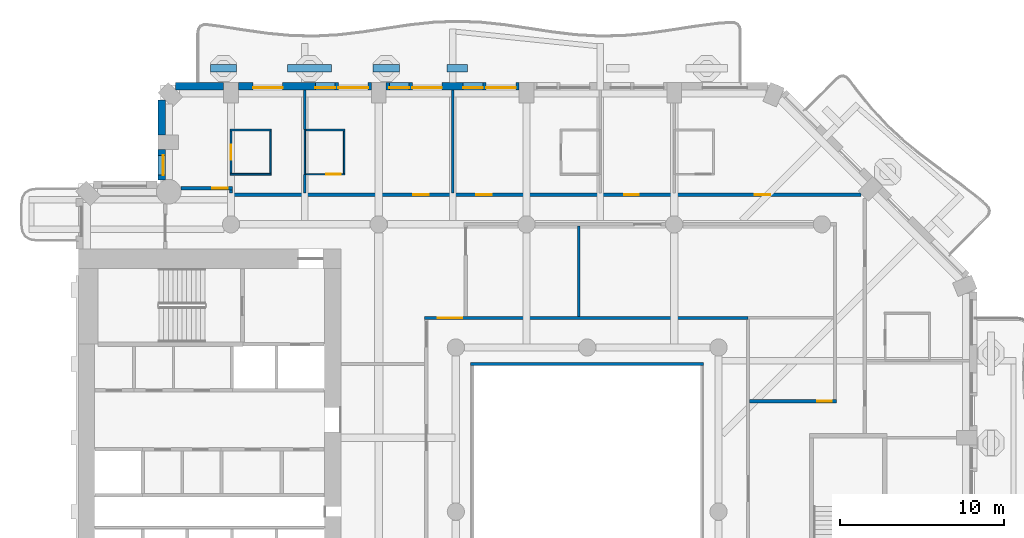
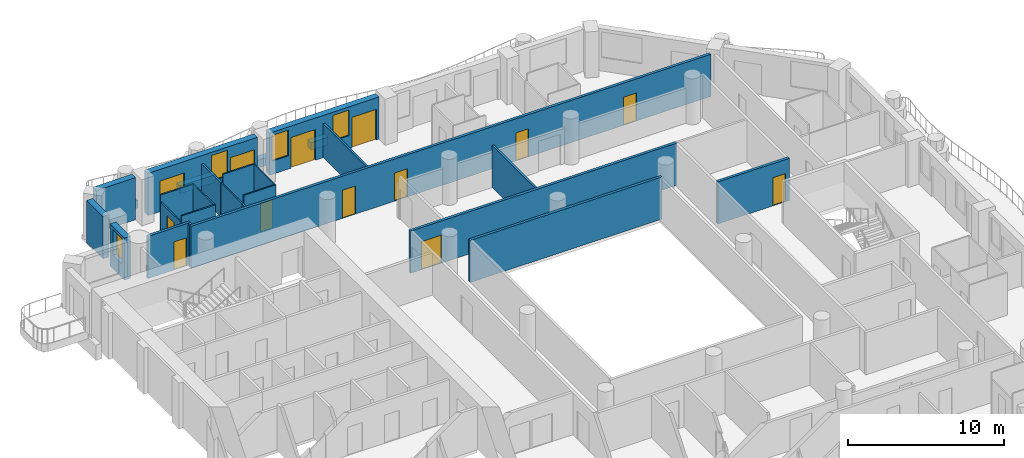
# One storey, part 8 of 20: 27 walls, 13 doors, 4 windows, 17 openings.
"""IFC4 building model written with IfcOpenShell, lengths in metres."""

from ifc_helpers import new_model, si_unit, direction, frame, frame_2d, origin, place, context, subcontext, project, spatial, rectangle, extrude, material, layer, layer_set, type_object, element, fill, save


model = new_model("IFC4")

# Units and contexts
model_context = context("Model", 3, precision=1e-05, world=origin(), true_north=direction((0.0, 1.0)))
body_context = subcontext(model_context, "Body", "Model", "MODEL_VIEW")
ifc_project = project(units=[si_unit("LENGTHUNIT", "METRE"), si_unit("AREAUNIT", "SQUARE_METRE"), si_unit("VOLUMEUNIT", "CUBIC_METRE"), si_unit("PLANEANGLEUNIT", "RADIAN"), si_unit("MASSUNIT", "GRAM", prefix="KILO")], contexts=[model_context])

# Site, building, storey
site_placement = place(None, origin())
site = spatial("IfcSite", under=ifc_project, at=site_placement, CompositionType="ELEMENT")
building_placement = place(site_placement, origin())
building = spatial("IfcBuilding", under=site, at=building_placement, Name="Cypress Arch Tower", CompositionType="ELEMENT")
storey_placement = place(building_placement, frame((0.0, 0.0, 120.300048828125)))
storey = spatial("IfcBuildingStorey", under=building, at=storey_placement, Name="L25", CompositionType="ELEMENT", Elevation=120.300048828125)

# Walls
ifc_material_1 = material(Name="Concrete C40/50, waterproofed", Category="concrete")
ifc_layer_1 = layer(ifc_material_1, 0.449951171875)
ifc_layer_set_1 = layer_set([ifc_layer_1], Name="Balcony planter wall PW450")
wall_type_1 = type_object("IfcWallType", Name="Balcony planter wall PW450", PredefinedType="SOLIDWALL", material=ifc_layer_set_1)
wall_1_placement = place(storey_placement, frame((-6.300048828125, 27.0, 0.0), z_axis=(0.0, 0.0, 1.0), x_axis=(-1.0, 0.0, 0.0)))
element("IfcWall", 1, at=wall_1_placement, inside=storey, type_object=wall_type_1, Name="Balcony planter wall L25-A08.3", PredefinedType="SOLIDWALL", context=body_context, shape_type="SweptSolid", body=[
    extrude(rectangle(XDim=1.25, YDim=0.449951171875, at=frame_2d((0.625, 0.0))), origin(), (0.0, 0.0, 1.0), 0.599853515625),
])
wall_2_placement = place(storey_placement, frame((-10.4375, 27.0, 0.0), z_axis=(0.0, 0.0, 1.0), x_axis=(-1.0, 0.0, 0.0)))
element("IfcWall", 2, at=wall_2_placement, inside=storey, type_object=wall_type_1, Name="Balcony planter wall L25-A08.4", PredefinedType="SOLIDWALL", context=body_context, shape_type="SweptSolid", body=[
    extrude(rectangle(XDim=1.612548828125, YDim=0.449951171875, at=frame_2d((0.80615234375, 0.0))), origin(), (0.0, 0.0, 1.0), 0.599853515625),
])
wall_3_placement = place(storey_placement, frame((-14.574951171875, 27.0, 0.0), z_axis=(0.0, 0.0, 1.0), x_axis=(-1.0, 0.0, 0.0)))
element("IfcWall", 3, at=wall_3_placement, inside=storey, type_object=wall_type_1, Name="Balcony planter wall L25-A08.5", PredefinedType="SOLIDWALL", context=body_context, shape_type="SweptSolid", body=[
    extrude(rectangle(XDim=2.675048828125, YDim=0.449951171875, at=frame_2d((1.33740234375, 0.0))), origin(), (0.0, 0.0, 1.0), 0.599853515625),
])
wall_4_placement = place(storey_placement, frame((-20.35009765625, 27.0, 0.0), z_axis=(0.0, 0.0, 1.0), x_axis=(-1.0, 0.0, 0.0)))
element("IfcWall", 4, at=wall_4_placement, inside=storey, type_object=wall_type_1, Name="Balcony planter wall L25-A08.6", PredefinedType="SOLIDWALL", context=body_context, shape_type="SweptSolid", body=[
    extrude(rectangle(XDim=1.599853515625, YDim=0.449951171875, at=frame_2d((0.7998046875, 0.0))), origin(), (0.0, 0.0, 1.0), 0.599853515625),
])

# Wall, openings, doors, windows
ifc_material_2 = material(Name="Brick (red buff blend)", Category="masonry")
ifc_layer_2 = layer(ifc_material_2, 0.449951171875)
ifc_layer_set_2 = layer_set([ifc_layer_2], Name="Brick pier and spandrel wall BW450")
wall_type_2 = type_object("IfcWallType", Name="Brick pier and spandrel wall BW450", PredefinedType="SOLIDWALL", material=ifc_layer_set_2)
wall_5_placement = place(storey_placement, frame((-3.14990234375, 25.925048828125, 0.0), z_axis=(0.0, 0.0, 1.0), x_axis=(-1.0, 0.0, 0.0)))
wall_5 = element("IfcWall", 5, at=wall_5_placement, inside=storey, type_object=wall_type_2, Name="Brick wall L25 A08.2", PredefinedType="SOLIDWALL", context=body_context, shape_type="SweptSolid", body=[
    extrude(rectangle(XDim=8.10009765625, YDim=0.449951171875, at=frame_2d((4.050048828125, 0.0))), origin(), (0.0, 0.0, 1.0), 3.300048828125),
])
opening_1_placement = place(wall_5_placement, frame((0.199951171875, 0.0, 0.0)))
opening_1 = element("IfcOpeningElement", 6, at=opening_1_placement, cuts=wall_5, Name="Opening D-L25-A08.2.1", PredefinedType="OPENING", context=body_context, shape_type="SweptSolid", body=[
    extrude(rectangle(XDim=1.800048828125, YDim=2.39990234375, at=frame_2d((0.89990234375, 1.199951171875))), frame((0.0, 0.23486328125, 0.0), z_axis=(0.0, -1.0, 0.0), x_axis=(1.0, 0.0, 0.0)), (0.0, 0.0, 1.0), 0.469970703125),
])
opening_2_placement = place(wall_5_placement, frame((2.199951171875, 0.0, 1.050048828125)))
opening_2 = element("IfcOpeningElement", 7, at=opening_2_placement, cuts=wall_5, Name="Opening W120HD", PredefinedType="OPENING", context=body_context, shape_type="SweptSolid", body=[
    extrude(rectangle(XDim=1.199951171875, YDim=2.0, at=frame_2d((0.60009765625, 1.0))), frame((0.0, 0.23486328125, 0.0), z_axis=(0.0, -1.0, 0.0), x_axis=(1.0, 0.0, 0.0)), (0.0, 0.0, 1.0), 0.469970703125),
])
opening_3_placement = place(wall_5_placement, frame((4.699951171875, 0.0, 0.0)))
opening_3 = element("IfcOpeningElement", 8, at=opening_3_placement, cuts=wall_5, Name="Opening D-L25-A08.2.2", PredefinedType="OPENING", context=body_context, shape_type="SweptSolid", body=[
    extrude(rectangle(XDim=1.800048828125, YDim=2.39990234375, at=frame_2d((0.89990234375, 1.199951171875))), frame((0.0, 0.23486328125, 0.0), z_axis=(0.0, -1.0, 0.0), x_axis=(1.0, 0.0, 0.0)), (0.0, 0.0, 1.0), 0.469970703125),
])
opening_4_placement = place(wall_5_placement, frame((6.699951171875, 0.0, 1.050048828125)))
opening_4 = element("IfcOpeningElement", 9, at=opening_4_placement, cuts=wall_5, Name="Opening W120HD", PredefinedType="OPENING", context=body_context, shape_type="SweptSolid", body=[
    extrude(rectangle(XDim=1.199951171875, YDim=2.0, at=frame_2d((0.60009765625, 1.0))), frame((0.0, 0.23486328125, 0.0), z_axis=(0.0, -1.0, 0.0), x_axis=(1.0, 0.0, 0.0)), (0.0, 0.0, 1.0), 0.469970703125),
])
ifc_material_3 = material(Name="Anodised aluminium, bronze finish, laminated low-emissivity double glazing, large-missile impact rated", Category="aluminium")
door_type_1 = type_object("IfcDoorType", Name="Balcony sliding door 1800x2400", OperationType="SLIDING_TO_LEFT", PredefinedType="DOOR", material=ifc_material_3)
door_1_placement = place(opening_1_placement, origin())
door_1 = element("IfcDoor", 10, at=door_1_placement, inside=storey, type_object=door_type_1, Name="Balcony door L25 A08.2.1", OperationType="SLIDING_TO_LEFT", OverallHeight=2.39990234375, OverallWidth=1.800048828125, PredefinedType="DOOR", context=body_context, shape_type="SweptSolid", body=[
    extrude(rectangle(XDim=1.800048828125, YDim=2.39990234375, at=frame_2d((0.89990234375, 1.199951171875))), frame((0.0, 0.1298828125, 0.0), z_axis=(0.0, -1.0, 0.0), x_axis=(1.0, 0.0, 0.0)), (0.0, 0.0, 1.0), 0.050048828125),
])
fill(opening_1, door_1)
door_2_placement = place(opening_3_placement, origin())
door_2 = element("IfcDoor", 11, at=door_2_placement, inside=storey, type_object=door_type_1, Name="Balcony door L25 A08.2.2", OperationType="SLIDING_TO_LEFT", OverallHeight=2.39990234375, OverallWidth=1.800048828125, PredefinedType="DOOR", context=body_context, shape_type="SweptSolid", body=[
    extrude(rectangle(XDim=1.800048828125, YDim=2.39990234375, at=frame_2d((0.89990234375, 1.199951171875))), frame((0.0, 0.1298828125, 0.0), z_axis=(0.0, -1.0, 0.0), x_axis=(1.0, 0.0, 0.0)), (0.0, 0.0, 1.0), 0.050048828125),
])
fill(opening_3, door_2)
ifc_material_4 = material(Name="Anodised aluminium, bronze finish, laminated low-emissivity double glazing, large-missile impact rated", Category="aluminium")
window_type_1 = type_object("IfcWindowType", Name="Window Hotel 1200x2000 debris-rated", PartitioningType="SINGLE_PANEL", PredefinedType="WINDOW", material=ifc_material_4)
window_1_placement = place(opening_2_placement, origin())
window_1 = element("IfcWindow", 12, at=window_1_placement, inside=storey, type_object=window_type_1, Name="Window L25 A08.2.1", OverallHeight=2.0, OverallWidth=1.199951171875, PartitioningType="SINGLE_PANEL", PredefinedType="WINDOW", context=body_context, shape_type="SweptSolid", body=[
    extrude(rectangle(XDim=1.199951171875, YDim=2.0, at=frame_2d((0.60009765625, 1.0))), frame((0.0, 0.135009765625, 0.0), z_axis=(0.0, -1.0, 0.0), x_axis=(1.0, 0.0, 0.0)), (0.0, 0.0, 1.0), 0.06005859375),
])
fill(opening_2, window_1)
window_2_placement = place(opening_4_placement, origin())
window_2 = element("IfcWindow", 13, at=window_2_placement, inside=storey, type_object=window_type_1, Name="Window L25 A08.2.2", OverallHeight=2.0, OverallWidth=1.199951171875, PartitioningType="SINGLE_PANEL", PredefinedType="WINDOW", context=body_context, shape_type="SweptSolid", body=[
    extrude(rectangle(XDim=1.199951171875, YDim=2.0, at=frame_2d((0.60009765625, 1.0))), frame((0.0, 0.135009765625, 0.0), z_axis=(0.0, -1.0, 0.0), x_axis=(1.0, 0.0, 0.0)), (0.0, 0.0, 1.0), 0.06005859375),
])
fill(opening_4, window_2)

# Wall, openings, doors, window
wall_6_placement = place(storey_placement, frame((-12.14990234375, 25.925048828125, 0.0), z_axis=(0.0, 0.0, 1.0), x_axis=(-1.0, 0.0, 0.0)))
wall_6 = element("IfcWall", 14, at=wall_6_placement, inside=storey, type_object=wall_type_2, Name="Brick wall L25 A08.3", PredefinedType="SOLIDWALL", context=body_context, shape_type="SweptSolid", body=[
    extrude(rectangle(XDim=8.10009765625, YDim=0.449951171875, at=frame_2d((4.050048828125, 0.0))), origin(), (0.0, 0.0, 1.0), 3.300048828125),
])
opening_5_placement = place(wall_6_placement, frame((0.199951171875, 0.0, 0.0)))
opening_5 = element("IfcOpeningElement", 15, at=opening_5_placement, cuts=wall_6, Name="Opening D-L25-A08.3.1", PredefinedType="OPENING", context=body_context, shape_type="SweptSolid", body=[
    extrude(rectangle(XDim=1.800048828125, YDim=2.39990234375, at=frame_2d((0.89990234375, 1.199951171875))), frame((0.0, 0.23486328125, 0.0), z_axis=(0.0, -1.0, 0.0), x_axis=(1.0, 0.0, 0.0)), (0.0, 0.0, 1.0), 0.469970703125),
])
opening_6_placement = place(wall_6_placement, frame((2.199951171875, 0.0, 1.050048828125)))
opening_6 = element("IfcOpeningElement", 16, at=opening_6_placement, cuts=wall_6, Name="Opening W120HD", PredefinedType="OPENING", context=body_context, shape_type="SweptSolid", body=[
    extrude(rectangle(XDim=1.199951171875, YDim=2.0, at=frame_2d((0.60009765625, 1.0))), frame((0.0, 0.23486328125, 0.0), z_axis=(0.0, -1.0, 0.0), x_axis=(1.0, 0.0, 0.0)), (0.0, 0.0, 1.0), 0.469970703125),
])
opening_7_placement = place(wall_6_placement, frame((5.39990234375, 0.0, 0.0)))
opening_7 = element("IfcOpeningElement", 17, at=opening_7_placement, cuts=wall_6, Name="Opening D-L25-A08.3.2", PredefinedType="OPENING", context=body_context, shape_type="SweptSolid", body=[
    extrude(rectangle(XDim=1.800048828125, YDim=2.39990234375, at=frame_2d((0.89990234375, 1.199951171875))), frame((0.0, 0.23486328125, 0.0), z_axis=(0.0, -1.0, 0.0), x_axis=(1.0, 0.0, 0.0)), (0.0, 0.0, 1.0), 0.469970703125),
])
door_3_placement = place(opening_5_placement, origin())
door_3 = element("IfcDoor", 18, at=door_3_placement, inside=storey, type_object=door_type_1, Name="Balcony door L25 A08.3.1", OperationType="SLIDING_TO_LEFT", OverallHeight=2.39990234375, OverallWidth=1.800048828125, PredefinedType="DOOR", context=body_context, shape_type="SweptSolid", body=[
    extrude(rectangle(XDim=1.800048828125, YDim=2.39990234375, at=frame_2d((0.89990234375, 1.199951171875))), frame((0.0, 0.1298828125, 0.0), z_axis=(0.0, -1.0, 0.0), x_axis=(1.0, 0.0, 0.0)), (0.0, 0.0, 1.0), 0.050048828125),
])
fill(opening_5, door_3)
door_4_placement = place(opening_7_placement, origin())
door_4 = element("IfcDoor", 19, at=door_4_placement, inside=storey, type_object=door_type_1, Name="Balcony door L25 A08.3.2", OperationType="SLIDING_TO_LEFT", OverallHeight=2.39990234375, OverallWidth=1.800048828125, PredefinedType="DOOR", context=body_context, shape_type="SweptSolid", body=[
    extrude(rectangle(XDim=1.800048828125, YDim=2.39990234375, at=frame_2d((0.89990234375, 1.199951171875))), frame((0.0, 0.1298828125, 0.0), z_axis=(0.0, -1.0, 0.0), x_axis=(1.0, 0.0, 0.0)), (0.0, 0.0, 1.0), 0.050048828125),
])
fill(opening_7, door_4)
window_3_placement = place(opening_6_placement, origin())
window_3 = element("IfcWindow", 20, at=window_3_placement, inside=storey, type_object=window_type_1, Name="Window L25 A08.3.1", OverallHeight=2.0, OverallWidth=1.199951171875, PartitioningType="SINGLE_PANEL", PredefinedType="WINDOW", context=body_context, shape_type="SweptSolid", body=[
    extrude(rectangle(XDim=1.199951171875, YDim=2.0, at=frame_2d((0.60009765625, 1.0))), frame((0.0, 0.135009765625, 0.0), z_axis=(0.0, -1.0, 0.0), x_axis=(1.0, 0.0, 0.0)), (0.0, 0.0, 1.0), 0.06005859375),
])
fill(opening_6, window_3)

# Walls
wall_7_placement = place(storey_placement, frame((-21.14990234375, 25.925048828125, 0.0), z_axis=(0.0, 0.0, 1.0), x_axis=(-1.0, 0.0, 0.0)))
element("IfcWall", 21, at=wall_7_placement, inside=storey, type_object=wall_type_2, Name="Brick wall L25 A08.4", PredefinedType="SOLIDWALL", context=body_context, shape_type="SweptSolid", body=[
    extrude(rectangle(XDim=2.913818359375, YDim=0.449951171875, at=frame_2d((1.45703125, 0.0))), origin(), (0.0, 0.0, 1.0), 3.300048828125),
])
wall_8_placement = place(storey_placement, frame((-24.925048828125, 25.063720703125, 0.0), z_axis=(0.0, 0.0, 1.0), x_axis=(0.0, -1.0, 0.0)))
element("IfcWall", 22, at=wall_8_placement, inside=storey, type_object=wall_type_2, Name="Brick wall L25 A09.0", PredefinedType="SOLIDWALL", context=body_context, shape_type="SweptSolid", body=[
    extrude(rectangle(XDim=2.11376953125, YDim=0.449951171875, at=frame_2d((1.056884765625, 0.0))), origin(), (0.0, 0.0, 1.0), 3.300048828125),
])

# Wall, opening, window
wall_9_placement = place(storey_placement, frame((-24.925048828125, 22.050048828125, 0.0), z_axis=(0.0, 0.0, 1.0), x_axis=(0.0, -1.0, 0.0)))
wall_9 = element("IfcWall", 23, at=wall_9_placement, inside=storey, type_object=wall_type_2, Name="Brick wall L25 A09.1", PredefinedType="SOLIDWALL", context=body_context, shape_type="SweptSolid", body=[
    extrude(rectangle(XDim=1.843017578125, YDim=0.449951171875, at=frame_2d((0.92138671875, 0.0))), origin(), (0.0, 0.0, 1.0), 3.300048828125),
])
opening_8_placement = place(wall_9_placement, frame((0.35009765625, 0.0, 1.050048828125)))
opening_8 = element("IfcOpeningElement", 24, at=opening_8_placement, cuts=wall_9, Name="Opening W120H", PredefinedType="OPENING", context=body_context, shape_type="SweptSolid", body=[
    extrude(rectangle(XDim=1.199951171875, YDim=2.0, at=frame_2d((0.60009765625, 1.0))), frame((0.0, 0.23486328125, 0.0), z_axis=(0.0, -1.0, 0.0), x_axis=(1.0, 0.0, 0.0)), (0.0, 0.0, 1.0), 0.469970703125),
])
ifc_material_5 = material(Name="Anodised aluminium, bronze finish, clear low-emissivity double glazing", Category="aluminium")
window_type_2 = type_object("IfcWindowType", Name="Window Hotel 1200x2000", PartitioningType="SINGLE_PANEL", PredefinedType="WINDOW", material=ifc_material_5)
window_4_placement = place(opening_8_placement, origin())
window_4 = element("IfcWindow", 25, at=window_4_placement, inside=storey, type_object=window_type_2, Name="Window L25 A09.1.1", OverallHeight=2.0, OverallWidth=1.199951171875, PartitioningType="SINGLE_PANEL", PredefinedType="WINDOW", context=body_context, shape_type="SweptSolid", body=[
    extrude(rectangle(XDim=1.199951171875, YDim=2.0, at=frame_2d((0.60009765625, 1.0))), frame((0.0, 0.135009765625, 0.0), z_axis=(0.0, -1.0, 0.0), x_axis=(1.0, 0.0, 0.0)), (0.0, 0.0, 1.0), 0.06005859375),
])
fill(opening_8, window_4)

# Wall, opening, door
ifc_material_6 = material(Name="Concrete blockwork, plastered, rated", Category="masonry")
ifc_layer_3 = layer(ifc_material_6, 0.199951171875)
ifc_layer_set_3 = layer_set([ifc_layer_3], Name="Corridor wall FW200")
wall_type_3 = type_object("IfcWallType", Name="Corridor wall FW200", PredefinedType="PARTITIONING", material=ifc_layer_set_3)
wall_10_placement = place(storey_placement, frame((-23.752197265625, 19.699951171875, 0.0), z_axis=(0.0, 0.0, 1.0), x_axis=(1.0, 0.0, 0.0)))
wall_10 = element("IfcWall", 26, at=wall_10_placement, inside=storey, type_object=wall_type_3, Name="Corridor wall", PredefinedType="PARTITIONING", context=body_context, shape_type="SweptSolid", body=[
    extrude(rectangle(XDim=3.152099609375, YDim=0.199951171875, at=frame_2d((1.576171875, 0.0))), origin(), (0.0, 0.0, 1.0), 3.300048828125),
])
opening_9_placement = place(wall_10_placement, frame((1.89990234375, 0.0, 0.0)))
opening_9 = element("IfcOpeningElement", 27, at=opening_9_placement, cuts=wall_10, Name="Opening D02", PredefinedType="OPENING", context=body_context, shape_type="SweptSolid", body=[
    extrude(rectangle(XDim=0.949951171875, YDim=2.199951171875, at=frame_2d((0.47509765625, 1.10009765625))), frame((0.0, 0.10986328125, 0.0), z_axis=(0.0, -1.0, 0.0), x_axis=(1.0, 0.0, 0.0)), (0.0, 0.0, 1.0), 0.219970703125),
])
ifc_material_7 = material(Name="Timber flush door, fire resisting", Category="wood")
door_type_2 = type_object("IfcDoorType", Name="Room door D02 950x2200", OperationType="SINGLE_SWING_LEFT", PredefinedType="DOOR", material=ifc_material_7)
door_5_placement = place(opening_9_placement, origin())
door_5 = element("IfcDoor", 28, at=door_5_placement, inside=storey, type_object=door_type_2, Name="Room door", OperationType="SINGLE_SWING_LEFT", OverallHeight=2.199951171875, OverallWidth=0.949951171875, PredefinedType="DOOR", context=body_context, shape_type="SweptSolid", body=[
    extrude(rectangle(XDim=0.949951171875, YDim=2.199951171875, at=frame_2d((0.47509765625, 1.10009765625))), frame((0.0, 0.02490234375, 0.0), z_axis=(0.0, -1.0, 0.0), x_axis=(1.0, 0.0, 0.0)), (0.0, 0.0, 1.0), 0.050048828125),
])
fill(opening_9, door_5)

# Wall
wall_11_placement = place(storey_placement, frame((-20.699951171875, 19.39990234375, 0.0), z_axis=(0.0, 0.0, 1.0), x_axis=(0.0, 1.0, 0.0)))
element("IfcWall", 29, at=wall_11_placement, inside=storey, type_object=wall_type_3, Name="Corridor wall", PredefinedType="PARTITIONING", context=body_context, shape_type="SweptSolid", body=[
    extrude(rectangle(XDim=0.2001953125, YDim=0.199951171875, at=frame_2d((0.10009765625, 0.0))), origin(), (0.0, 0.0, 1.0), 3.300048828125),
])

# Wall, openings, doors
wall_12_placement = place(storey_placement, frame((-20.800048828125, 19.300048828125, 0.0), z_axis=(0.0, 0.0, 1.0), x_axis=(1.0, 0.0, 0.0)))
wall_12 = element("IfcWall", 30, at=wall_12_placement, inside=storey, type_object=wall_type_3, Name="Corridor wall", PredefinedType="PARTITIONING", context=body_context, shape_type="SweptSolid", body=[
    extrude(rectangle(XDim=38.46435546875, YDim=0.199951171875, at=frame_2d((19.232177734375, 0.0))), origin(), (0.0, 0.0, 1.0), 3.300048828125),
])
opening_10_placement = place(wall_12_placement, frame((24.050048828125, 0.0, 0.0)))
opening_10 = element("IfcOpeningElement", 31, at=opening_10_placement, cuts=wall_12, Name="Opening D05", PredefinedType="OPENING", context=body_context, shape_type="SweptSolid", body=[
    extrude(rectangle(XDim=0.89990234375, YDim=2.199951171875, at=frame_2d((0.449951171875, 1.10009765625))), frame((0.0, 0.10986328125, 0.0), z_axis=(0.0, -1.0, 0.0), x_axis=(1.0, 0.0, 0.0)), (0.0, 0.0, 1.0), 0.219970703125),
])
opening_11_placement = place(wall_12_placement, frame((11.199951171875, 0.0, 0.0)))
opening_11 = element("IfcOpeningElement", 32, at=opening_11_placement, cuts=wall_12, Name="Opening D02", PredefinedType="OPENING", context=body_context, shape_type="SweptSolid", body=[
    extrude(rectangle(XDim=0.949951171875, YDim=2.199951171875, at=frame_2d((0.47509765625, 1.10009765625))), frame((0.0, 0.10986328125, 0.0), z_axis=(0.0, -1.0, 0.0), x_axis=(1.0, 0.0, 0.0)), (0.0, 0.0, 1.0), 0.219970703125),
])
opening_12_placement = place(wall_12_placement, frame((15.050048828125, 0.0, 0.0)))
opening_12 = element("IfcOpeningElement", 33, at=opening_12_placement, cuts=wall_12, Name="Opening D02", PredefinedType="OPENING", context=body_context, shape_type="SweptSolid", body=[
    extrude(rectangle(XDim=0.949951171875, YDim=2.199951171875, at=frame_2d((0.47509765625, 1.10009765625))), frame((0.0, 0.10986328125, 0.0), z_axis=(0.0, -1.0, 0.0), x_axis=(1.0, 0.0, 0.0)), (0.0, 0.0, 1.0), 0.219970703125),
])
opening_13_placement = place(wall_12_placement, frame((32.0, 0.0, 0.0)))
opening_13 = element("IfcOpeningElement", 34, at=opening_13_placement, cuts=wall_12, Name="Opening D02", PredefinedType="OPENING", context=body_context, shape_type="SweptSolid", body=[
    extrude(rectangle(XDim=0.949951171875, YDim=2.199951171875, at=frame_2d((0.47509765625, 1.10009765625))), frame((0.0, 0.10986328125, 0.0), z_axis=(0.0, -1.0, 0.0), x_axis=(1.0, 0.0, 0.0)), (0.0, 0.0, 1.0), 0.219970703125),
])
door_6_placement = place(opening_11_placement, origin())
door_6 = element("IfcDoor", 35, at=door_6_placement, inside=storey, type_object=door_type_2, Name="Room door", OperationType="SINGLE_SWING_RIGHT", OverallHeight=2.199951171875, OverallWidth=0.949951171875, PredefinedType="DOOR", context=body_context, shape_type="SweptSolid", body=[
    extrude(rectangle(XDim=0.949951171875, YDim=2.199951171875, at=frame_2d((0.47509765625, 1.10009765625))), frame((0.0, 0.02490234375, 0.0), z_axis=(0.0, -1.0, 0.0), x_axis=(1.0, 0.0, 0.0)), (0.0, 0.0, 1.0), 0.050048828125),
])
fill(opening_11, door_6)
door_7_placement = place(opening_12_placement, origin())
door_7 = element("IfcDoor", 36, at=door_7_placement, inside=storey, type_object=door_type_2, Name="Room door", OperationType="SINGLE_SWING_LEFT", OverallHeight=2.199951171875, OverallWidth=0.949951171875, PredefinedType="DOOR", context=body_context, shape_type="SweptSolid", body=[
    extrude(rectangle(XDim=0.949951171875, YDim=2.199951171875, at=frame_2d((0.47509765625, 1.10009765625))), frame((0.0, 0.02490234375, 0.0), z_axis=(0.0, -1.0, 0.0), x_axis=(1.0, 0.0, 0.0)), (0.0, 0.0, 1.0), 0.050048828125),
])
fill(opening_12, door_7)
door_8_placement = place(opening_13_placement, origin())
door_8 = element("IfcDoor", 37, at=door_8_placement, inside=storey, type_object=door_type_2, Name="Room door", OperationType="SINGLE_SWING_RIGHT", OverallHeight=2.199951171875, OverallWidth=0.949951171875, PredefinedType="DOOR", context=body_context, shape_type="SweptSolid", body=[
    extrude(rectangle(XDim=0.949951171875, YDim=2.199951171875, at=frame_2d((0.47509765625, 1.10009765625))), frame((0.0, 0.02490234375, 0.0), z_axis=(0.0, -1.0, 0.0), x_axis=(1.0, 0.0, 0.0)), (0.0, 0.0, 1.0), 0.050048828125),
])
fill(opening_13, door_8)
ifc_material_8 = material(Name="Timber flush door", Category="wood")
door_type_3 = type_object("IfcDoorType", Name="Service door D05 900x2200", OperationType="SINGLE_SWING_LEFT", PredefinedType="DOOR", material=ifc_material_8)
door_9_placement = place(opening_10_placement, origin())
door_9 = element("IfcDoor", 38, at=door_9_placement, inside=storey, type_object=door_type_3, Name="Service door", OperationType="SINGLE_SWING_LEFT", OverallHeight=2.199951171875, OverallWidth=0.89990234375, PredefinedType="DOOR", context=body_context, shape_type="SweptSolid", body=[
    extrude(rectangle(XDim=0.89990234375, YDim=2.199951171875, at=frame_2d((0.449951171875, 1.10009765625))), frame((0.0, 0.02490234375, 0.0), z_axis=(0.0, -1.0, 0.0), x_axis=(1.0, 0.0, 0.0)), (0.0, 0.0, 1.0), 0.050048828125),
])
fill(opening_10, door_9)

# Wall, opening, door
wall_13_placement = place(storey_placement, frame((-8.89990234375, 11.800048828125, 0.0), z_axis=(0.0, 0.0, 1.0), x_axis=(1.0, 0.0, 0.0)))
wall_13 = element("IfcWall", 39, at=wall_13_placement, inside=storey, type_object=wall_type_3, Name="Corridor wall", PredefinedType="PARTITIONING", context=body_context, shape_type="SweptSolid", body=[
    extrude(rectangle(XDim=19.699951171875, YDim=0.199951171875, at=frame_2d((9.85009765625, 0.0))), origin(), (0.0, 0.0, 1.0), 3.300048828125),
])
opening_14_placement = place(wall_13_placement, frame((0.800048828125, 0.0, 0.0)))
opening_14 = element("IfcOpeningElement", 40, at=opening_14_placement, cuts=wall_13, Name="Opening D04", PredefinedType="OPENING", context=body_context, shape_type="SweptSolid", body=[
    extrude(rectangle(XDim=1.5, YDim=2.199951171875, at=frame_2d((0.75, 1.10009765625))), frame((0.0, 0.10986328125, 0.0), z_axis=(0.0, -1.0, 0.0), x_axis=(1.0, 0.0, 0.0)), (0.0, 0.0, 1.0), 0.219970703125),
])
ifc_material_9 = material(Name="Timber double door", Category="wood")
door_type_4 = type_object("IfcDoorType", Name="Double door D04 1500x2200", OperationType="DOUBLE_DOOR_SINGLE_SWING", PredefinedType="DOOR", material=ifc_material_9)
door_10_placement = place(opening_14_placement, origin())
door_10 = element("IfcDoor", 41, at=door_10_placement, inside=storey, type_object=door_type_4, Name="Double door", OperationType="DOUBLE_DOOR_SINGLE_SWING", OverallHeight=2.199951171875, OverallWidth=1.5, PredefinedType="DOOR", context=body_context, shape_type="SweptSolid", body=[
    extrude(rectangle(XDim=1.5, YDim=2.199951171875, at=frame_2d((0.75, 1.10009765625))), frame((0.0, 0.02490234375, 0.0), z_axis=(0.0, -1.0, 0.0), x_axis=(1.0, 0.0, 0.0)), (0.0, 0.0, 1.0), 0.050048828125),
])
fill(opening_14, door_10)

# Wall
wall_14_placement = place(storey_placement, frame((-6.10009765625, 9.0, 0.0), z_axis=(0.0, 0.0, 1.0), x_axis=(1.0, 0.0, 0.0)))
element("IfcWall", 42, at=wall_14_placement, inside=storey, type_object=wall_type_3, Name="Corridor wall", PredefinedType="PARTITIONING", context=body_context, shape_type="SweptSolid", body=[
    extrude(rectangle(XDim=14.2001953125, YDim=0.199951171875, at=frame_2d((7.10009765625, 0.0))), origin(), (0.0, 0.0, 1.0), 3.300048828125),
])

# Wall, opening, door
wall_15_placement = place(storey_placement, frame((10.89990234375, 6.72509765625, 0.0), z_axis=(0.0, 0.0, 1.0), x_axis=(1.0, 0.0, 0.0)))
wall_15 = element("IfcWall", 43, at=wall_15_placement, inside=storey, type_object=wall_type_3, Name="Corridor wall", PredefinedType="PARTITIONING", context=body_context, shape_type="SweptSolid", body=[
    extrude(rectangle(XDim=5.300048828125, YDim=0.199951171875, at=frame_2d((2.64990234375, 0.0))), origin(), (0.0, 0.0, 1.0), 3.300048828125),
])
opening_15_placement = place(wall_15_placement, frame((4.10009765625, 0.0, 0.0)))
opening_15 = element("IfcOpeningElement", 44, at=opening_15_placement, cuts=wall_15, Name="Opening D05", PredefinedType="OPENING", context=body_context, shape_type="SweptSolid", body=[
    extrude(rectangle(XDim=0.89990234375, YDim=2.199951171875, at=frame_2d((0.449951171875, 1.10009765625))), frame((0.0, 0.10986328125, 0.0), z_axis=(0.0, -1.0, 0.0), x_axis=(1.0, 0.0, 0.0)), (0.0, 0.0, 1.0), 0.219970703125),
])
door_11_placement = place(opening_15_placement, origin())
door_11 = element("IfcDoor", 45, at=door_11_placement, inside=storey, type_object=door_type_3, Name="Service door", OperationType="SINGLE_SWING_RIGHT", OverallHeight=2.199951171875, OverallWidth=0.89990234375, PredefinedType="DOOR", context=body_context, shape_type="SweptSolid", body=[
    extrude(rectangle(XDim=0.89990234375, YDim=2.199951171875, at=frame_2d((0.449951171875, 1.10009765625))), frame((0.0, 0.02490234375, 0.0), z_axis=(0.0, -1.0, 0.0), x_axis=(1.0, 0.0, 0.0)), (0.0, 0.0, 1.0), 0.050048828125),
])
fill(opening_15, door_11)

# Walls
ifc_material_10 = material(Name="Blockwork, plastered both sides", Category="masonry")
ifc_layer_4 = layer(ifc_material_10, 0.14990234375)
ifc_layer_set_4 = layer_set([ifc_layer_4], Name="Partition PW150")
wall_type_4 = type_object("IfcWallType", Name="Partition PW150", PredefinedType="PARTITIONING", material=ifc_layer_set_4)
wall_16_placement = place(storey_placement, frame((-16.199951171875, 19.39990234375, 0.0), z_axis=(0.0, 0.0, 1.0), x_axis=(0.0, 1.0, 0.0)))
element("IfcWall", 46, at=wall_16_placement, inside=storey, type_object=wall_type_4, Name="Partition", PredefinedType="PARTITIONING", context=body_context, shape_type="SweptSolid", body=[
    extrude(rectangle(XDim=1.130126953125, YDim=0.14990234375, at=frame_2d((0.56494140625, 0.0))), origin(), (0.0, 0.0, 1.0), 2.64990234375),
])
wall_17_placement = place(storey_placement, frame((-16.199951171875, 23.27001953125, 0.0), z_axis=(0.0, 0.0, 1.0), x_axis=(0.0, 1.0, 0.0)))
element("IfcWall", 47, at=wall_17_placement, inside=storey, type_object=wall_type_4, Name="Partition", PredefinedType="PARTITIONING", context=body_context, shape_type="SweptSolid", body=[
    extrude(rectangle(XDim=2.429931640625, YDim=0.14990234375, at=frame_2d((1.21484375, 0.0))), origin(), (0.0, 0.0, 1.0), 2.64990234375),
])
wall_18_placement = place(storey_placement, frame((-7.199951171875, 19.39990234375, 0.0), z_axis=(0.0, 0.0, 1.0), x_axis=(0.0, 1.0, 0.0)))
element("IfcWall", 48, at=wall_18_placement, inside=storey, type_object=wall_type_4, Name="Partition", PredefinedType="PARTITIONING", context=body_context, shape_type="SweptSolid", body=[
    extrude(rectangle(XDim=6.300048828125, YDim=0.14990234375, at=frame_2d((3.14990234375, 0.0))), origin(), (0.0, 0.0, 1.0), 2.64990234375),
])
wall_19_placement = place(storey_placement, frame((0.5, 11.89990234375, 0.0), z_axis=(0.0, 0.0, 1.0), x_axis=(0.0, 1.0, 0.0)))
element("IfcWall", 49, at=wall_19_placement, inside=storey, type_object=wall_type_4, Name="Partition", PredefinedType="PARTITIONING", context=body_context, shape_type="SweptSolid", body=[
    extrude(rectangle(XDim=5.5, YDim=0.14990234375, at=frame_2d((2.75, 0.0))), origin(), (0.0, 0.0, 1.0), 3.300048828125),
])

# Wall, opening, door
ifc_material_11 = material(Name="Moisture resistant board on steel studs, tiled", Category="steel")
ifc_layer_5 = layer(ifc_material_11, 0.10009765625)
ifc_layer_set_5 = layer_set([ifc_layer_5], Name="Wet wall PW100")
wall_type_5 = type_object("IfcWallType", Name="Wet wall PW100", PredefinedType="PARTITIONING", material=ifc_layer_set_5)
wall_20_placement = place(storey_placement, frame((-20.699951171875, 20.60009765625, 0.0), z_axis=(0.0, 0.0, 1.0), x_axis=(0.0, 1.0, 0.0)))
wall_20 = element("IfcWall", 50, at=wall_20_placement, inside=storey, type_object=wall_type_5, Name="Wet wall", PredefinedType="PARTITIONING", context=body_context, shape_type="SweptSolid", body=[
    extrude(rectangle(XDim=2.599853515625, YDim=0.10009765625, at=frame_2d((1.2998046875, 0.0))), origin(), (0.0, 0.0, 1.0), 2.75),
])
opening_16_placement = place(wall_20_placement, frame((0.85009765625, 0.0, 0.0)))
opening_16 = element("IfcOpeningElement", 51, at=opening_16_placement, cuts=wall_20, Name="Opening D03", PredefinedType="OPENING", context=body_context, shape_type="SweptSolid", body=[
    extrude(rectangle(XDim=0.89990234375, YDim=2.199951171875, at=frame_2d((0.449951171875, 1.10009765625))), frame((0.0, 0.06005859375, 0.0), z_axis=(0.0, -1.0, 0.0), x_axis=(1.0, 0.0, 0.0)), (0.0, 0.0, 1.0), 0.1201171875),
])
ifc_material_12 = material(Name="Timber flush door, moisture resistant", Category="wood")
door_type_5 = type_object("IfcDoorType", Name="Bathroom door D03 900x2200", OperationType="SINGLE_SWING_LEFT", PredefinedType="DOOR", material=ifc_material_12)
door_12_placement = place(opening_16_placement, origin())
door_12 = element("IfcDoor", 52, at=door_12_placement, inside=storey, type_object=door_type_5, Name="Bathroom door", OperationType="SINGLE_SWING_LEFT", OverallHeight=2.199951171875, OverallWidth=0.89990234375, PredefinedType="DOOR", context=body_context, shape_type="SweptSolid", body=[
    extrude(rectangle(XDim=0.89990234375, YDim=2.199951171875, at=frame_2d((0.449951171875, 1.10009765625))), frame((0.0, 0.02490234375, 0.0), z_axis=(0.0, -1.0, 0.0), x_axis=(1.0, 0.0, 0.0)), (0.0, 0.0, 1.0), 0.050048828125),
])
fill(opening_16, door_12)

# Walls
for number, where, z_axis, x_axis, name in (
    (53, (-20.75, 20.550048828125, 0.0), (0.0, 0.0, 1.0), (1.0, 0.0, 0.0), "Wet wall"),
    (54, (-20.75, 23.25, 0.0), (0.0, 0.0, 1.0), (1.0, 0.0, 0.0), "Wet wall"),
):
    element("IfcWall", number, at=place(storey_placement, frame(where, z_axis=z_axis, x_axis=x_axis)), inside=storey, type_object=wall_type_5, Name=name, PredefinedType="PARTITIONING", context=body_context, shape_type="SweptSolid", body=[
        extrude(rectangle(XDim=2.5, YDim=0.10009765625, at=frame_2d((1.25, 0.0))), origin(), (0.0, 0.0, 1.0), 3.300048828125),
    ])
wall_21_placement = place(storey_placement, frame((-18.300048828125, 20.60009765625, 0.0), z_axis=(0.0, 0.0, 1.0), x_axis=(0.0, 1.0, 0.0)))
element("IfcWall", 55, at=wall_21_placement, inside=storey, type_object=wall_type_5, Name="Wet wall", PredefinedType="PARTITIONING", context=body_context, shape_type="SweptSolid", body=[
    extrude(rectangle(XDim=2.599853515625, YDim=0.10009765625, at=frame_2d((1.2998046875, 0.0))), origin(), (0.0, 0.0, 1.0), 3.300048828125),
])
wall_22_placement = place(storey_placement, frame((-16.199951171875, 20.530029296875, 0.0), z_axis=(0.0, 0.0, 1.0), x_axis=(0.0, 1.0, 0.0)))
element("IfcWall", 56, at=wall_22_placement, inside=storey, type_object=wall_type_5, Name="Wet wall", PredefinedType="PARTITIONING", context=body_context, shape_type="SweptSolid", body=[
    extrude(rectangle(XDim=2.739990234375, YDim=0.10009765625, at=frame_2d((1.3701171875, 0.0))), origin(), (0.0, 0.0, 1.0), 2.64990234375),
])

# Wall, opening, door
wall_23_placement = place(storey_placement, frame((-16.14990234375, 20.550048828125, 0.0), z_axis=(0.0, 0.0, 1.0), x_axis=(1.0, 0.0, 0.0)))
wall_23 = element("IfcWall", 57, at=wall_23_placement, inside=storey, type_object=wall_type_5, Name="Wet wall", PredefinedType="PARTITIONING", context=body_context, shape_type="SweptSolid", body=[
    extrude(rectangle(XDim=2.39599609375, YDim=0.10009765625, at=frame_2d((1.197998046875, 0.0))), origin(), (0.0, 0.0, 1.0), 3.300048828125),
])
opening_17_placement = place(wall_23_placement, frame((1.25, 0.0, 0.0)))
opening_17 = element("IfcOpeningElement", 58, at=opening_17_placement, cuts=wall_23, Name="Opening D03", PredefinedType="OPENING", context=body_context, shape_type="SweptSolid", body=[
    extrude(rectangle(XDim=0.89990234375, YDim=2.199951171875, at=frame_2d((0.449951171875, 1.10009765625))), frame((0.0, 0.06005859375, 0.0), z_axis=(0.0, -1.0, 0.0), x_axis=(1.0, 0.0, 0.0)), (0.0, 0.0, 1.0), 0.1201171875),
])
door_13_placement = place(opening_17_placement, origin())
door_13 = element("IfcDoor", 59, at=door_13_placement, inside=storey, type_object=door_type_5, Name="Bathroom door", OperationType="SINGLE_SWING_RIGHT", OverallHeight=2.199951171875, OverallWidth=0.89990234375, PredefinedType="DOOR", context=body_context, shape_type="SweptSolid", body=[
    extrude(rectangle(XDim=0.89990234375, YDim=2.199951171875, at=frame_2d((0.449951171875, 1.10009765625))), frame((0.0, 0.02490234375, 0.0), z_axis=(0.0, -1.0, 0.0), x_axis=(1.0, 0.0, 0.0)), (0.0, 0.0, 1.0), 0.050048828125),
])
fill(opening_17, door_13)

# Walls
wall_24_placement = place(storey_placement, frame((-16.125, 23.25, 0.0), z_axis=(0.0, 0.0, 1.0), x_axis=(1.0, 0.0, 0.0)))
element("IfcWall", 60, at=wall_24_placement, inside=storey, type_object=wall_type_5, Name="Wet wall", PredefinedType="PARTITIONING", context=body_context, shape_type="SweptSolid", body=[
    extrude(rectangle(XDim=2.37109375, YDim=0.10009765625, at=frame_2d((1.185546875, 0.0))), origin(), (0.0, 0.0, 1.0), 3.300048828125),
])
wall_25_placement = place(storey_placement, frame((-13.803955078125, 20.60009765625, 0.0), z_axis=(0.0, 0.0, 1.0), x_axis=(0.0, 1.0, 0.0)))
element("IfcWall", 61, at=wall_25_placement, inside=storey, type_object=wall_type_5, Name="Wet wall", PredefinedType="PARTITIONING", context=body_context, shape_type="SweptSolid", body=[
    extrude(rectangle(XDim=2.599853515625, YDim=0.10009765625, at=frame_2d((1.2998046875, 0.0))), origin(), (0.0, 0.0, 1.0), 3.300048828125),
])

save(model, "model.ifc")
